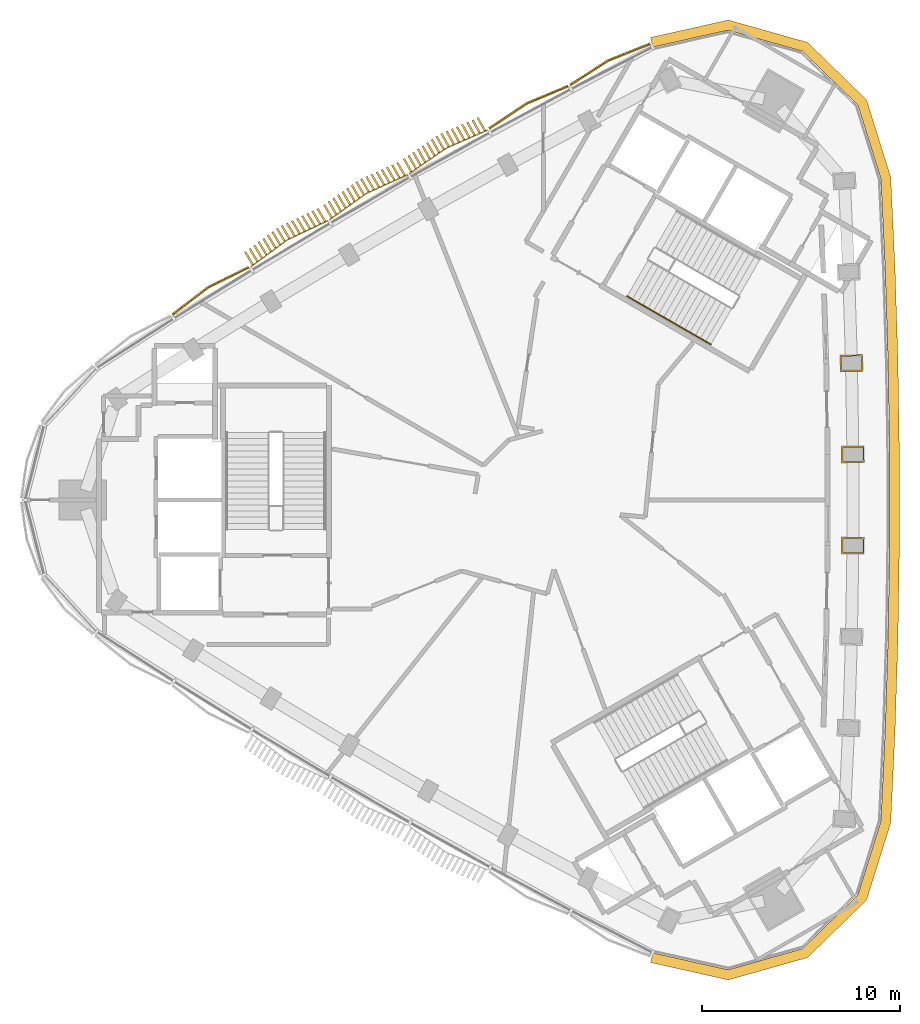
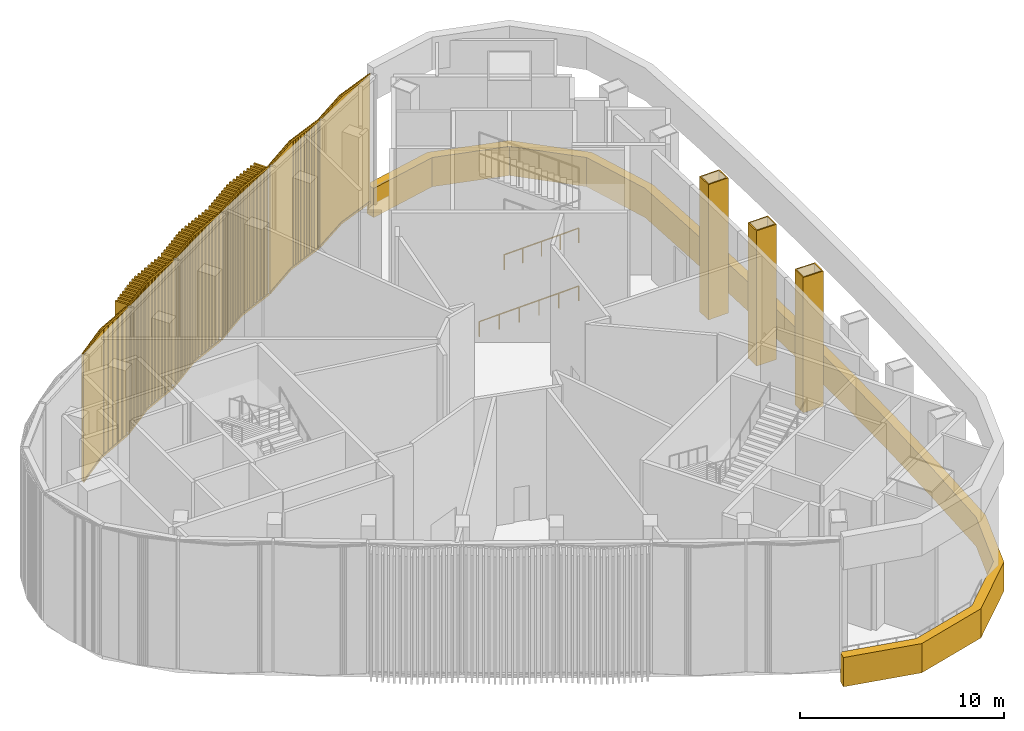
# One storey, part 10 of 11: 10 coverings, 2 railings.
"""IFC4 building model written with IfcOpenShell, lengths in metres."""

from ifc_helpers import new_model, si_unit, direction, frame, frame_2d, origin, origin_2d, place, context, subcontext, project, spatial, polyline, rectangle, circle, outline, extrude, source, transform, mapped, material, layer, layer_set, type_object, element, save


model = new_model("IFC4")

# Units and contexts
model_context = context("Model", 3, precision=1e-05, world=origin(), true_north=direction((0.0, 1.0)))
body_context = subcontext(model_context, "Body", "Model", "MODEL_VIEW")
ifc_project = project(units=[si_unit("LENGTHUNIT", "METRE"), si_unit("AREAUNIT", "SQUARE_METRE"), si_unit("VOLUMEUNIT", "CUBIC_METRE"), si_unit("PLANEANGLEUNIT", "RADIAN"), si_unit("MASSUNIT", "GRAM", prefix="KILO")], contexts=[model_context])

# Site, building, storey
site_placement = place(None, origin())
site = spatial("IfcSite", under=ifc_project, at=site_placement, CompositionType="ELEMENT")
building_placement = place(site_placement, origin())
building = spatial("IfcBuilding", under=site, at=building_placement, Name="Tamra Quay Hotel Tower", CompositionType="ELEMENT")
storey_placement = place(building_placement, frame((0.0, 0.0, 312.60009765625)))
storey = spatial("IfcBuildingStorey", under=building, at=storey_placement, Name="L78", CompositionType="ELEMENT", Elevation=312.60009765625)

# Covering
ifc_material_1 = material(Name="Precast concrete M60 terracotta-coloured pierced relief", Category="masonry")
ifc_layer_1 = layer(ifc_material_1, 0.10009765625)
ifc_layer_set_1 = layer_set([ifc_layer_1], Name="PIERCED RELIEF PANEL 100")
covering_type_1 = type_object("IfcCoveringType", Name="PIERCED RELIEF PANEL 100", PredefinedType="CLADDING", material=ifc_layer_set_1)
covering_placement = place(storey_placement, frame((0.0, 0.0, -0.85009765625)))
element("IfcCovering", 1, at=covering_placement, inside=storey, type_object=covering_type_1, Name="L78 portal sill fascia 1", PredefinedType="CLADDING", context=body_context, shape_type="SweptSolid", body=[
    extrude(outline(polyline([(5.520751953125, -22.874755859375), (5.411376953125, -23.362548828125), (9.34423828125, -24.244384765625), (13.344482421875, -23.113525390625), (16.32421875, -20.214599609375), (17.546142578125, -16.30615234375), (17.766357421875, -11.606201171875), (17.91162109375, -6.965576171875), (17.984130859375, -2.322021484375), (17.984130859375, 2.322021484375), (17.91162109375, 6.965576171875), (17.766357421875, 11.606201171875), (17.546142578125, 16.30615234375), (16.32421875, 20.214599609375), (13.344482421875, 23.113525390625), (9.34423828125, 24.244384765625), (5.411376953125, 23.362548828125), (5.520751953125, 22.874755859375), (9.330078125, 23.72900390625), (13.086669921875, 22.666748046875), (15.884765625, 19.944580078125), (17.0498046875, 16.218505859375), (17.266845703125, 11.586669921875), (17.41162109375, 6.953857421875), (17.484130859375, 2.318115234375), (17.484130859375, -2.318115234375), (17.41162109375, -6.953857421875), (17.266845703125, -11.586669921875), (17.0498046875, -16.218505859375), (15.884765625, -19.944580078125), (13.086669921875, -22.666748046875), (9.330078125, -23.72900390625), (5.520751953125, -22.874755859375)])), origin(), (0.0, 0.0, 1.0), 1.75),
])

# Railings
ifc_material_2 = material(Name="Stair handrail 900")
railing_type = type_object("IfcRailingType", Name="Stair handrail 900", PredefinedType="HANDRAIL", material=ifc_material_2)
railing_1_placement = place(storey_placement, frame((4.234375, 10.294189453125, 0.13330078125)))
element("IfcRailing", 2, at=railing_1_placement, inside=storey, type_object=railing_type, Name="HR", PredefinedType="HANDRAIL", context=body_context, shape_type="SweptSolid", body=[
    extrude(circle(Radius=0.02392578125, at=origin_2d()), frame((0.0, 0.0, 0.8759765625), z_axis=(0.793511931334, -0.458137391205, 0.400560788908), x_axis=(0.500002508028, 0.866023955769, 0.0)), (0.0, 0.0, 1.0), 5.32568359375),
    extrude(circle(Radius=0.02099609375, at=origin_2d()), origin(), (0.0, 0.0, 1.0), 0.851806640625),
    extrude(circle(Radius=0.02099609375, at=origin_2d()), frame((0.84521484375, -0.488037109375, 0.4267578125)), (0.0, 0.0, 1.0), 0.851806640625),
    extrude(circle(Radius=0.02099609375, at=origin_2d()), frame((1.6904296875, -0.97607421875, 0.853271484375)), (0.0, 0.0, 1.0), 0.851806640625),
    extrude(circle(Radius=0.02099609375, at=origin_2d()), frame((2.53564453125, -1.4638671875, 1.280029296875)), (0.0, 0.0, 1.0), 0.851806640625),
    extrude(circle(Radius=0.02099609375, at=origin_2d()), frame((3.380859375, -1.951904296875, 1.70654296875)), (0.0, 0.0, 1.0), 0.851806640625),
    extrude(circle(Radius=0.02099609375, at=origin_2d()), frame((4.22607421875, -2.43994140625, 2.13330078125)), (0.0, 0.0, 1.0), 0.851806640625),
])
railing_2_placement = place(storey_placement, frame((5.290771484375, 9.684326171875, 4.13330078125)))
element("IfcRailing", 3, at=railing_2_placement, inside=storey, type_object=railing_type, Name="HR", PredefinedType="HANDRAIL", context=body_context, shape_type="SweptSolid", body=[
    extrude(circle(Radius=0.02392578125, at=origin_2d()), frame((0.0, 0.0, 0.8759765625), z_axis=(0.793521851839, -0.458156034922, 0.400519810144), x_axis=(0.500013080017, 0.866017851902, 0.0)), (0.0, 0.0, 1.0), 3.994384765625),
    extrude(circle(Radius=0.02099609375, at=origin_2d()), origin(), (0.0, 0.0, 1.0), 0.851806640625),
    extrude(circle(Radius=0.02099609375, at=origin_2d()), frame((0.79248046875, -0.45751953125, 0.39990234375)), (0.0, 0.0, 1.0), 0.851806640625),
    extrude(circle(Radius=0.02099609375, at=origin_2d()), frame((1.5849609375, -0.9150390625, 0.7998046875)), (0.0, 0.0, 1.0), 0.851806640625),
    extrude(circle(Radius=0.02099609375, at=origin_2d()), frame((2.377197265625, -1.37255859375, 1.199951171875)), (0.0, 0.0, 1.0), 0.851806640625),
    extrude(circle(Radius=0.02099609375, at=origin_2d()), frame((3.169677734375, -1.830078125, 1.599853515625)), (0.0, 0.0, 1.0), 0.851806640625),
])

# Coverings
ifc_material_3 = material(Name="Terracotta baguette extruded", Category="masonry")
covering_type_2 = type_object("IfcCoveringType", Name="BAGUETTE SCREEN NW-SHALLOW H7750", PredefinedType="USERDEFINED", material=ifc_material_3)
shared_shape_1 = source(origin(), body_context, "Body", "SweptSolid", [
    extrude(rectangle(XDim=2.282958984375, YDim=0.06005859375, at=frame_2d((1.1416015625, 0.030029296875))), frame((-2.2783203125, -0.0576171875, -0.1201171875), z_axis=(0.0, 0.0, 1.0), x_axis=(0.995396198367, -0.09584575252, 0.0)), (0.0, 0.0, 1.0), 0.1201171875),
    extrude(rectangle(XDim=2.282958984375, YDim=0.06005859375, at=frame_2d((1.1416015625, 0.030029296875))), frame((-2.2783203125, -0.0576171875, -7.75), z_axis=(0.0, 0.0, 1.0), x_axis=(0.995396198367, -0.09584575252, 0.0)), (0.0, 0.0, 1.0), 0.1201171875),
    extrude(rectangle(XDim=0.094970703125, YDim=0.10009765625, at=frame_2d((0.04736328125, 0.050048828125))), frame((-2.2705078125, -0.1328125, -7.68994140625)), (0.0, 0.0, 1.0), 7.6298828125),
    extrude(rectangle(XDim=0.094970703125, YDim=0.10009765625, at=frame_2d((0.04736328125, 0.050048828125))), frame((-2.171875, -0.142333984375, -7.68994140625)), (0.0, 0.0, 1.0), 7.6298828125),
    extrude(rectangle(XDim=0.094970703125, YDim=0.10009765625, at=frame_2d((0.04736328125, 0.050048828125))), frame((-2.072998046875, -0.15185546875, -7.68994140625)), (0.0, 0.0, 1.0), 7.6298828125),
    extrude(rectangle(XDim=0.094970703125, YDim=0.10009765625, at=frame_2d((0.04736328125, 0.050048828125))), frame((-1.97412109375, -0.161376953125, -7.68994140625)), (0.0, 0.0, 1.0), 7.6298828125),
    extrude(rectangle(XDim=0.094970703125, YDim=0.10009765625, at=frame_2d((0.04736328125, 0.050048828125))), frame((-1.87548828125, -0.1708984375, -7.68994140625)), (0.0, 0.0, 1.0), 7.6298828125),
    extrude(rectangle(XDim=0.094970703125, YDim=0.10009765625, at=frame_2d((0.04736328125, 0.050048828125))), frame((-1.776611328125, -0.180419921875, -7.68994140625)), (0.0, 0.0, 1.0), 7.6298828125),
    extrude(rectangle(XDim=0.094970703125, YDim=0.10009765625, at=frame_2d((0.04736328125, 0.050048828125))), frame((-1.677734375, -0.18994140625, -7.68994140625)), (0.0, 0.0, 1.0), 7.6298828125),
    extrude(rectangle(XDim=0.094970703125, YDim=0.10009765625, at=frame_2d((0.04736328125, 0.050048828125))), frame((-1.578857421875, -0.199462890625, -7.68994140625)), (0.0, 0.0, 1.0), 7.6298828125),
    extrude(rectangle(XDim=0.094970703125, YDim=0.10009765625, at=frame_2d((0.04736328125, 0.050048828125))), frame((-1.480224609375, -0.208984375, -7.68994140625)), (0.0, 0.0, 1.0), 7.6298828125),
    extrude(rectangle(XDim=0.094970703125, YDim=0.10009765625, at=frame_2d((0.04736328125, 0.050048828125))), frame((-1.38134765625, -0.21826171875, -7.68994140625)), (0.0, 0.0, 1.0), 7.6298828125),
    extrude(rectangle(XDim=0.094970703125, YDim=0.10009765625, at=frame_2d((0.04736328125, 0.050048828125))), frame((-1.282470703125, -0.227783203125, -7.68994140625)), (0.0, 0.0, 1.0), 7.6298828125),
    extrude(rectangle(XDim=0.094970703125, YDim=0.10009765625, at=frame_2d((0.04736328125, 0.050048828125))), frame((-1.183837890625, -0.2373046875, -7.68994140625)), (0.0, 0.0, 1.0), 7.6298828125),
    extrude(rectangle(XDim=0.094970703125, YDim=0.10009765625, at=frame_2d((0.04736328125, 0.050048828125))), frame((-1.0849609375, -0.246826171875, -7.68994140625)), (0.0, 0.0, 1.0), 7.6298828125),
    extrude(rectangle(XDim=0.094970703125, YDim=0.10009765625, at=frame_2d((0.04736328125, 0.050048828125))), frame((-0.986083984375, -0.25634765625, -7.68994140625)), (0.0, 0.0, 1.0), 7.6298828125),
    extrude(rectangle(XDim=0.094970703125, YDim=0.10009765625, at=frame_2d((0.04736328125, 0.050048828125))), frame((-0.887451171875, -0.265869140625, -7.68994140625)), (0.0, 0.0, 1.0), 7.6298828125),
    extrude(rectangle(XDim=0.094970703125, YDim=0.10009765625, at=frame_2d((0.04736328125, 0.050048828125))), frame((-0.78857421875, -0.275390625, -7.68994140625)), (0.0, 0.0, 1.0), 7.6298828125),
    extrude(rectangle(XDim=0.094970703125, YDim=0.10009765625, at=frame_2d((0.04736328125, 0.050048828125))), frame((-0.689697265625, -0.284912109375, -7.68994140625)), (0.0, 0.0, 1.0), 7.6298828125),
    extrude(rectangle(XDim=0.094970703125, YDim=0.10009765625, at=frame_2d((0.04736328125, 0.050048828125))), frame((-0.5908203125, -0.29443359375, -7.68994140625)), (0.0, 0.0, 1.0), 7.6298828125),
    extrude(rectangle(XDim=0.094970703125, YDim=0.10009765625, at=frame_2d((0.04736328125, 0.050048828125))), frame((-0.4921875, -0.303955078125, -7.68994140625)), (0.0, 0.0, 1.0), 7.6298828125),
    extrude(rectangle(XDim=0.094970703125, YDim=0.10009765625, at=frame_2d((0.04736328125, 0.050048828125))), frame((-0.393310546875, -0.3134765625, -7.68994140625)), (0.0, 0.0, 1.0), 7.6298828125),
    extrude(rectangle(XDim=0.094970703125, YDim=0.10009765625, at=frame_2d((0.04736328125, 0.050048828125))), frame((-0.29443359375, -0.322998046875, -7.68994140625)), (0.0, 0.0, 1.0), 7.6298828125),
    extrude(rectangle(XDim=0.094970703125, YDim=0.10009765625, at=frame_2d((0.04736328125, 0.050048828125))), frame((-0.19580078125, -0.33251953125, -7.68994140625)), (0.0, 0.0, 1.0), 7.6298828125),
    extrude(rectangle(XDim=0.094970703125, YDim=0.10009765625, at=frame_2d((0.04736328125, 0.050048828125))), frame((-0.096923828125, -0.342041015625, -7.68994140625)), (0.0, 0.0, 1.0), 7.6298828125),
    extrude(rectangle(XDim=2.282958984375, YDim=0.06005859375, at=frame_2d((1.1416015625, 0.030029296875))), frame((0.005859375, -0.276611328125, -0.1201171875), z_axis=(0.0, 0.0, 1.0), x_axis=(0.995396198367, 0.09584575252, 0.0)), (0.0, 0.0, 1.0), 0.1201171875),
    extrude(rectangle(XDim=2.282958984375, YDim=0.06005859375, at=frame_2d((1.1416015625, 0.030029296875))), frame((0.005859375, -0.276611328125, -7.75), z_axis=(0.0, 0.0, 1.0), x_axis=(0.995396198367, 0.09584575252, 0.0)), (0.0, 0.0, 1.0), 0.1201171875),
    extrude(rectangle(XDim=0.094970703125, YDim=0.10009765625, at=frame_2d((0.04736328125, 0.050048828125))), frame((0.001953125, -0.342041015625, -7.68994140625)), (0.0, 0.0, 1.0), 7.6298828125),
    extrude(rectangle(XDim=0.094970703125, YDim=0.10009765625, at=frame_2d((0.04736328125, 0.050048828125))), frame((0.100830078125, -0.33251953125, -7.68994140625)), (0.0, 0.0, 1.0), 7.6298828125),
    extrude(rectangle(XDim=0.094970703125, YDim=0.10009765625, at=frame_2d((0.04736328125, 0.050048828125))), frame((0.199462890625, -0.322998046875, -7.68994140625)), (0.0, 0.0, 1.0), 7.6298828125),
    extrude(rectangle(XDim=0.094970703125, YDim=0.10009765625, at=frame_2d((0.04736328125, 0.050048828125))), frame((0.29833984375, -0.3134765625, -7.68994140625)), (0.0, 0.0, 1.0), 7.6298828125),
    extrude(rectangle(XDim=0.094970703125, YDim=0.10009765625, at=frame_2d((0.04736328125, 0.050048828125))), frame((0.397216796875, -0.303955078125, -7.68994140625)), (0.0, 0.0, 1.0), 7.6298828125),
    extrude(rectangle(XDim=0.094970703125, YDim=0.10009765625, at=frame_2d((0.04736328125, 0.050048828125))), frame((0.495849609375, -0.29443359375, -7.68994140625)), (0.0, 0.0, 1.0), 7.6298828125),
    extrude(rectangle(XDim=0.094970703125, YDim=0.10009765625, at=frame_2d((0.04736328125, 0.050048828125))), frame((0.5947265625, -0.284912109375, -7.68994140625)), (0.0, 0.0, 1.0), 7.6298828125),
    extrude(rectangle(XDim=0.094970703125, YDim=0.10009765625, at=frame_2d((0.04736328125, 0.050048828125))), frame((0.693603515625, -0.275390625, -7.68994140625)), (0.0, 0.0, 1.0), 7.6298828125),
    extrude(rectangle(XDim=0.094970703125, YDim=0.10009765625, at=frame_2d((0.04736328125, 0.050048828125))), frame((0.792236328125, -0.265869140625, -7.68994140625)), (0.0, 0.0, 1.0), 7.6298828125),
    extrude(rectangle(XDim=0.094970703125, YDim=0.10009765625, at=frame_2d((0.04736328125, 0.050048828125))), frame((0.89111328125, -0.25634765625, -7.68994140625)), (0.0, 0.0, 1.0), 7.6298828125),
    extrude(rectangle(XDim=0.094970703125, YDim=0.10009765625, at=frame_2d((0.04736328125, 0.050048828125))), frame((0.989990234375, -0.246826171875, -7.68994140625)), (0.0, 0.0, 1.0), 7.6298828125),
    extrude(rectangle(XDim=0.094970703125, YDim=0.10009765625, at=frame_2d((0.04736328125, 0.050048828125))), frame((1.0888671875, -0.2373046875, -7.68994140625)), (0.0, 0.0, 1.0), 7.6298828125),
    extrude(rectangle(XDim=0.094970703125, YDim=0.10009765625, at=frame_2d((0.04736328125, 0.050048828125))), frame((1.1875, -0.227783203125, -7.68994140625)), (0.0, 0.0, 1.0), 7.6298828125),
    extrude(rectangle(XDim=0.094970703125, YDim=0.10009765625, at=frame_2d((0.04736328125, 0.050048828125))), frame((1.286376953125, -0.21826171875, -7.68994140625)), (0.0, 0.0, 1.0), 7.6298828125),
    extrude(rectangle(XDim=0.094970703125, YDim=0.10009765625, at=frame_2d((0.04736328125, 0.050048828125))), frame((1.38525390625, -0.208984375, -7.68994140625)), (0.0, 0.0, 1.0), 7.6298828125),
    extrude(rectangle(XDim=0.094970703125, YDim=0.10009765625, at=frame_2d((0.04736328125, 0.050048828125))), frame((1.48388671875, -0.199462890625, -7.68994140625)), (0.0, 0.0, 1.0), 7.6298828125),
    extrude(rectangle(XDim=0.094970703125, YDim=0.10009765625, at=frame_2d((0.04736328125, 0.050048828125))), frame((1.582763671875, -0.18994140625, -7.68994140625)), (0.0, 0.0, 1.0), 7.6298828125),
    extrude(rectangle(XDim=0.094970703125, YDim=0.10009765625, at=frame_2d((0.04736328125, 0.050048828125))), frame((1.681640625, -0.180419921875, -7.68994140625)), (0.0, 0.0, 1.0), 7.6298828125),
    extrude(rectangle(XDim=0.094970703125, YDim=0.10009765625, at=frame_2d((0.04736328125, 0.050048828125))), frame((1.7802734375, -0.1708984375, -7.68994140625)), (0.0, 0.0, 1.0), 7.6298828125),
    extrude(rectangle(XDim=0.094970703125, YDim=0.10009765625, at=frame_2d((0.04736328125, 0.050048828125))), frame((1.879150390625, -0.161376953125, -7.68994140625)), (0.0, 0.0, 1.0), 7.6298828125),
    extrude(rectangle(XDim=0.094970703125, YDim=0.10009765625, at=frame_2d((0.04736328125, 0.050048828125))), frame((1.97802734375, -0.15185546875, -7.68994140625)), (0.0, 0.0, 1.0), 7.6298828125),
    extrude(rectangle(XDim=0.094970703125, YDim=0.10009765625, at=frame_2d((0.04736328125, 0.050048828125))), frame((2.076904296875, -0.142333984375, -7.68994140625)), (0.0, 0.0, 1.0), 7.6298828125),
    extrude(rectangle(XDim=0.094970703125, YDim=0.10009765625, at=frame_2d((0.04736328125, 0.050048828125))), frame((2.175537109375, -0.1328125, -7.68994140625)), (0.0, 0.0, 1.0), 7.6298828125),
])
for number, where, z_axis, x_axis, name in (
    (4, (3.39306640625, 21.9423828125, 7.75), (0.0, 0.0, 1.0), (-0.888486247653, -0.458903244412, 0.0), "Baguette screen L78.NW.f00"),
    (5, (-0.711181640625, 19.78173828125, 7.75), (0.0, 0.0, 1.0), (-0.881223556272, -0.472699739657, 0.0), "Baguette screen L78.NW.f01"),
    (6, (-16.77587890625, 10.5068359375, 7.75), (0.0, 0.0, 1.0), (-0.849981761041, -0.526812116316, 0.0), "Baguette screen L78.NW.f05"),
):
    element("IfcCovering", number, at=place(storey_placement, frame(where, z_axis=z_axis, x_axis=x_axis)), inside=storey, type_object=covering_type_2, Name=name, ObjectType="BAGUETTE SCREEN", PredefinedType="USERDEFINED", context=body_context, shape_type="MappedRepresentation", body=[
        mapped(shared_shape_1, transform((0.0, 0.0, 0.0), scale=1.0)),
    ])
covering_type_3 = type_object("IfcCoveringType", Name="BAGUETTE SCREEN NW-DEEP H7750", PredefinedType="USERDEFINED", material=ifc_material_3)
shared_shape_2 = source(origin(), body_context, "Body", "SweptSolid", [
    extrude(rectangle(XDim=2.282958984375, YDim=0.06005859375, at=frame_2d((1.1416015625, 0.030029296875))), frame((-2.2783203125, -0.0576171875, -0.1201171875), z_axis=(0.0, 0.0, 1.0), x_axis=(0.995396198367, -0.09584575252, 0.0)), (0.0, 0.0, 1.0), 0.1201171875),
    extrude(rectangle(XDim=2.282958984375, YDim=0.06005859375, at=frame_2d((1.1416015625, 0.030029296875))), frame((-2.2783203125, -0.0576171875, -7.75), z_axis=(0.0, 0.0, 1.0), x_axis=(0.995396198367, -0.09584575252, 0.0)), (0.0, 0.0, 1.0), 0.1201171875),
    extrude(rectangle(XDim=0.10009765625, YDim=0.780029296875, at=frame_2d((0.050048828125, 0.39013671875))), frame((-2.180419921875, -0.82177734375, -7.68994140625)), (0.0, 0.0, 1.0), 7.6298828125),
    extrude(rectangle(XDim=0.10009765625, YDim=0.780029296875, at=frame_2d((0.050048828125, 0.39013671875))), frame((-1.896484375, -0.84912109375, -7.68994140625)), (0.0, 0.0, 1.0), 7.6298828125),
    extrude(rectangle(XDim=0.10009765625, YDim=0.780029296875, at=frame_2d((0.050048828125, 0.39013671875))), frame((-1.6123046875, -0.87646484375, -7.68994140625)), (0.0, 0.0, 1.0), 7.6298828125),
    extrude(rectangle(XDim=0.10009765625, YDim=0.780029296875, at=frame_2d((0.050048828125, 0.39013671875))), frame((-1.328369140625, -0.90380859375, -7.68994140625)), (0.0, 0.0, 1.0), 7.6298828125),
    extrude(rectangle(XDim=0.10009765625, YDim=0.780029296875, at=frame_2d((0.050048828125, 0.39013671875))), frame((-1.044189453125, -0.93115234375, -7.68994140625)), (0.0, 0.0, 1.0), 7.6298828125),
    extrude(rectangle(XDim=0.10009765625, YDim=0.780029296875, at=frame_2d((0.050048828125, 0.39013671875))), frame((-0.76025390625, -0.95849609375, -7.68994140625)), (0.0, 0.0, 1.0), 7.6298828125),
    extrude(rectangle(XDim=0.10009765625, YDim=0.780029296875, at=frame_2d((0.050048828125, 0.39013671875))), frame((-0.47607421875, -0.98583984375, -7.68994140625)), (0.0, 0.0, 1.0), 7.6298828125),
    extrude(rectangle(XDim=0.10009765625, YDim=0.780029296875, at=frame_2d((0.050048828125, 0.39013671875))), frame((-0.192138671875, -1.01318359375, -7.68994140625)), (0.0, 0.0, 1.0), 7.6298828125),
    extrude(rectangle(XDim=2.282958984375, YDim=0.06005859375, at=frame_2d((1.1416015625, 0.030029296875))), frame((0.005859375, -0.276611328125, -0.1201171875), z_axis=(0.0, 0.0, 1.0), x_axis=(0.995396198367, 0.09584575252, 0.0)), (0.0, 0.0, 1.0), 0.1201171875),
    extrude(rectangle(XDim=2.282958984375, YDim=0.06005859375, at=frame_2d((1.1416015625, 0.030029296875))), frame((0.005859375, -0.276611328125, -7.75), z_axis=(0.0, 0.0, 1.0), x_axis=(0.995396198367, 0.09584575252, 0.0)), (0.0, 0.0, 1.0), 0.1201171875),
    extrude(rectangle(XDim=0.10009765625, YDim=0.780029296875, at=frame_2d((0.050048828125, 0.39013671875))), frame((0.092041015625, -1.01318359375, -7.68994140625)), (0.0, 0.0, 1.0), 7.6298828125),
    extrude(rectangle(XDim=0.10009765625, YDim=0.780029296875, at=frame_2d((0.050048828125, 0.39013671875))), frame((0.3759765625, -0.98583984375, -7.68994140625)), (0.0, 0.0, 1.0), 7.6298828125),
    extrude(rectangle(XDim=0.10009765625, YDim=0.780029296875, at=frame_2d((0.050048828125, 0.39013671875))), frame((0.66015625, -0.95849609375, -7.68994140625)), (0.0, 0.0, 1.0), 7.6298828125),
    extrude(rectangle(XDim=0.10009765625, YDim=0.780029296875, at=frame_2d((0.050048828125, 0.39013671875))), frame((0.9443359375, -0.93115234375, -7.68994140625)), (0.0, 0.0, 1.0), 7.6298828125),
    extrude(rectangle(XDim=0.10009765625, YDim=0.780029296875, at=frame_2d((0.050048828125, 0.39013671875))), frame((1.228271484375, -0.90380859375, -7.68994140625)), (0.0, 0.0, 1.0), 7.6298828125),
    extrude(rectangle(XDim=0.10009765625, YDim=0.780029296875, at=frame_2d((0.050048828125, 0.39013671875))), frame((1.512451171875, -0.87646484375, -7.68994140625)), (0.0, 0.0, 1.0), 7.6298828125),
    extrude(rectangle(XDim=0.10009765625, YDim=0.780029296875, at=frame_2d((0.050048828125, 0.39013671875))), frame((1.79638671875, -0.84912109375, -7.68994140625)), (0.0, 0.0, 1.0), 7.6298828125),
    extrude(rectangle(XDim=0.10009765625, YDim=0.780029296875, at=frame_2d((0.050048828125, 0.39013671875))), frame((2.08056640625, -0.82177734375, -7.68994140625)), (0.0, 0.0, 1.0), 7.6298828125),
])
for number, where, z_axis, x_axis, name in (
    (7, (-4.781005859375, 17.5576171875, 7.75), (0.0, 0.0, 1.0), (-0.873735829625, -0.48640076072, 0.0), "Baguette screen L78.NW.f02"),
    (8, (-8.816162109375, 15.269775390625, 7.75), (0.0, 0.0, 1.0), (-0.866025403784, -0.5, 0.0), "Baguette screen L78.NW.f03"),
    (9, (-12.81494140625, 12.919189453125, 7.75), (0.0, 0.0, 1.0), (-0.858103330016, -0.513477044292, 0.0), "Baguette screen L78.NW.f04"),
):
    element("IfcCovering", number, at=place(storey_placement, frame(where, z_axis=z_axis, x_axis=x_axis)), inside=storey, type_object=covering_type_3, Name=name, ObjectType="BAGUETTE SCREEN", PredefinedType="USERDEFINED", context=body_context, shape_type="MappedRepresentation", body=[
        mapped(shared_shape_2, transform((0.0, 0.0, 0.0), scale=1.0)),
    ])
ifc_layer_2 = layer(ifc_material_1, 0.070068359375)
ifc_layer_set_2 = layer_set([ifc_layer_2], Name="COLUMN RELIEF SLEEVE 70")
covering_type_4 = type_object("IfcCoveringType", Name="COLUMN RELIEF SLEEVE 70", PredefinedType="CLADDING", material=ifc_layer_set_2)
shared_shape_3 = source(origin(), body_context, "Body", "SweptSolid", [
    extrude(rectangle(XDim=1.139892578125, YDim=0.070068359375, at=frame_2d((0.56982421875, 0.03515625))), frame((-0.570068359375, -0.419921875, 0.0)), (0.0, 0.0, 1.0), 8.10009765625),
    extrude(rectangle(XDim=1.139892578125, YDim=0.070068359375, at=frame_2d((0.56982421875, 0.03515625))), frame((-0.570068359375, 0.35009765625, 0.0)), (0.0, 0.0, 1.0), 8.10009765625),
    extrude(rectangle(XDim=0.070068359375, YDim=0.699951171875, at=frame_2d((0.03515625, 0.35009765625))), frame((-0.570068359375, -0.35009765625, 0.0)), (0.0, 0.0, 1.0), 8.10009765625),
    extrude(rectangle(XDim=0.070068359375, YDim=0.699951171875, at=frame_2d((0.03515625, 0.35009765625))), frame((0.5, -0.35009765625, 0.0)), (0.0, 0.0, 1.0), 8.10009765625),
])
for number, where, z_axis, x_axis, name in (
    (10, (15.634033203125, -2.303466796875, -0.35009765625), (0.0, 0.0, 1.0), (-0.999968634555, 0.007920221337, 0.0), "Column relief sleeve COL-C6E04-L78"),
    (11, (15.634033203125, 2.303466796875, -0.35009765625), (0.0, 0.0, 1.0), (0.999968634555, 0.007920221337, 0.0), "Column relief sleeve COL-C6E05-L78"),
    (12, (15.56201171875, 6.909912109375, -0.35009765625), (0.0, 0.0, 1.0), (0.999717847188, 0.023753442163, 0.0), "Column relief sleeve COL-C6E06-L78"),
):
    element("IfcCovering", number, at=place(storey_placement, frame(where, z_axis=z_axis, x_axis=x_axis)), inside=storey, type_object=covering_type_4, Name=name, PredefinedType="CLADDING", context=body_context, shape_type="MappedRepresentation", body=[
        mapped(shared_shape_3, transform((0.0, 0.0, 0.0), scale=1.0)),
    ])

save(model, "model.ifc")
